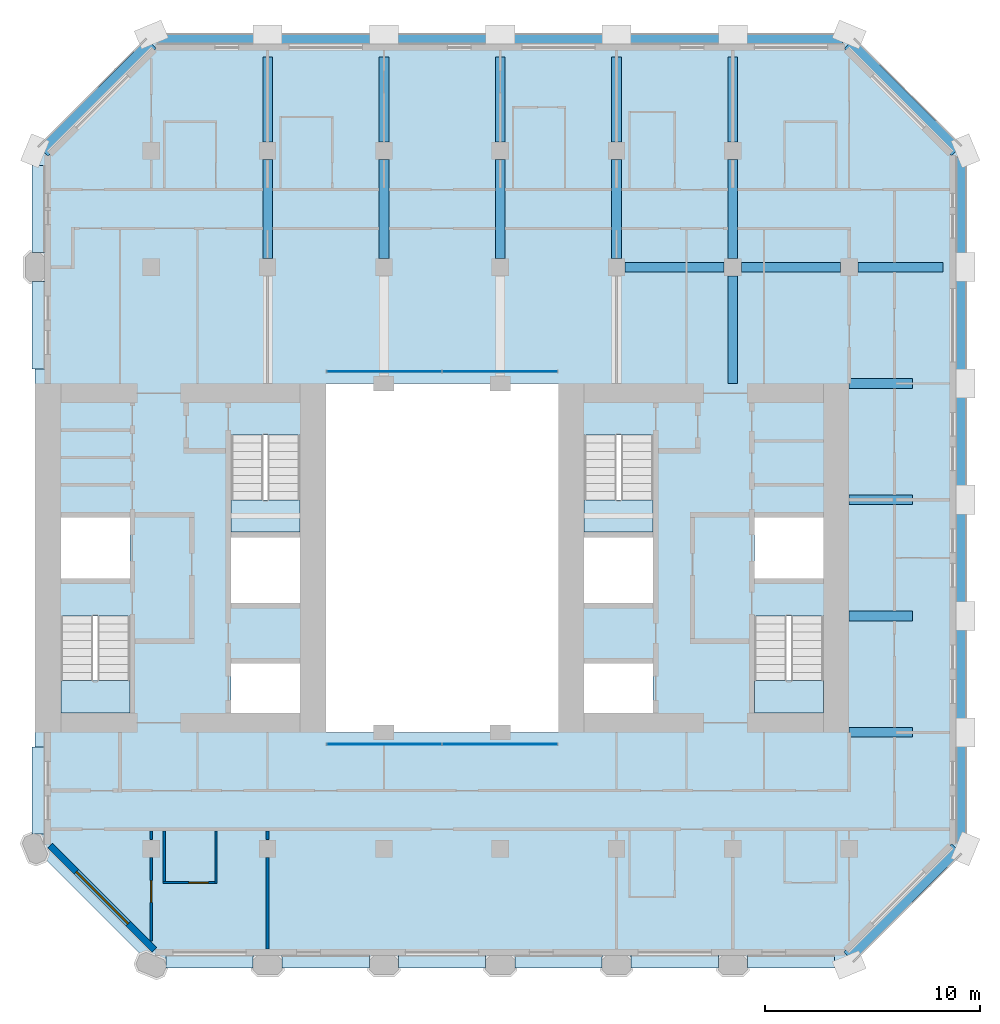
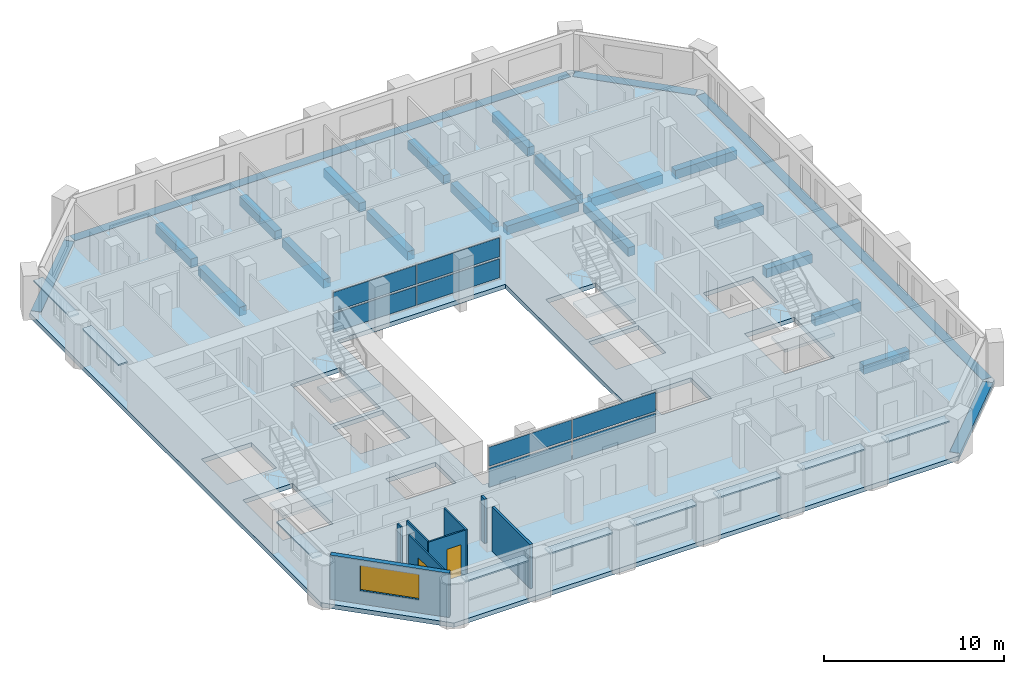
# One storey, part 3 of 12: 23 beams, 17 plates, 8 walls, 5 slabs, 2 doors, 1 window, 3 openings, 6 elements without a shape of their own.
"""IFC4 building model written with IfcOpenShell, lengths in metres."""

import ifcopenshell
import ifcopenshell.guid

model = None  # the IFC model being written
_history = None  # IfcOwnerHistory: only IFC2X3 demands one
_inside = {}  # id of a spatial element -> (the spatial element, [elements in it])
_under = {}  # id of a project, library or spatial element -> (it, [spatial elements below it])
_declared = {}  # id of a project -> (the project, [libraries it declares])
_typed = {}  # id of a type object -> (the type object, [elements of that type])
_made_of = {}  # id of a material, layer set ... -> (it, [elements and type objects made of it])


def new_model(schema):
    """Start an empty IFC model of exactly this schema.

    Asked for "IFC4X3", IfcOpenShell would pick the latest addendum, in which some entities
    have other attributes; the version numbers below select the first issue.
    IFC2X3 requires an IfcOwnerHistory on every rooted entity: one is made here for all.
    """
    global model, _history
    if schema == "IFC4X3":
        model = ifcopenshell.file(schema_version=(4, 3, 0, 0))
    else:
        model = ifcopenshell.file(schema=schema)
    _inside.clear()
    _under.clear()
    _declared.clear()
    _typed.clear()
    _made_of.clear()
    _history = None
    if model.schema == "IFC2X3":
        org = make("IfcOrganization", Name="unknown")
        user = make(
            "IfcPersonAndOrganization",
            ThePerson=make("IfcPerson", FamilyName="unknown"),
            TheOrganization=org,
        )
        app = make(
            "IfcApplication",
            ApplicationDeveloper=org,
            Version="unknown",
            ApplicationFullName="unknown",
            ApplicationIdentifier="unknown",
        )
        _history = make(
            "IfcOwnerHistory",
            OwningUser=user,
            OwningApplication=app,
            ChangeAction="ADDED",
            CreationDate=0,
        )
    return model


def make(cls, **values):
    """One entity of the class cls with the attributes given. An attribute that is None is left unset."""
    return model.create_entity(
        cls, **{name: value for name, value in values.items() if value is not None}
    )


def rooted(cls, **values):
    """An entity with a GlobalId (a new one), such as an element, a storey or a relation."""
    return make(cls, GlobalId=ifcopenshell.guid.new(), OwnerHistory=_history, **values)


def si_unit(unit_type, name, prefix=None):
    """IfcSIUnit, for example si_unit("LENGTHUNIT", "METRE", prefix="MILLI")."""
    return make("IfcSIUnit", UnitType=unit_type, Prefix=prefix, Name=name)


def assignment(units):
    """IfcUnitAssignment: the units of a project."""
    return None if units is None else make("IfcUnitAssignment", Units=units)


def point(xyz):
    """IfcCartesianPoint."""
    return None if xyz is None else make("IfcCartesianPoint", Coordinates=xyz)


def direction(xyz):
    """IfcDirection."""
    return None if xyz is None else make("IfcDirection", DirectionRatios=xyz)


def frame(location, z_axis=None, x_axis=None):
    """IfcAxis2Placement3D, a coordinate frame: its origin and axes. An axis left out is left unset."""
    return make(
        "IfcAxis2Placement3D",
        Location=point(location),
        Axis=direction(z_axis),
        RefDirection=direction(x_axis),
    )


def frame_2d(location, x_axis=None):
    """IfcAxis2Placement2D, a coordinate frame in the plane: its origin and x axis."""
    return make(
        "IfcAxis2Placement2D", Location=point(location), RefDirection=direction(x_axis)
    )


def origin():
    """The frame at (0, 0, 0) with its axes left unset."""
    return frame((0.0, 0.0, 0.0))


def origin_2d():
    """The frame at (0, 0) in the plane with its x axis left unset."""
    return frame_2d((0.0, 0.0))


def place(relative_to, where):
    """IfcLocalPlacement: puts the frame where relative to a parent placement (None: the world)."""
    return make(
        "IfcLocalPlacement", PlacementRelTo=relative_to, RelativePlacement=where
    )


def context(
    kind, dimensions, precision=None, world=None, true_north=None, identifier=None
):
    """IfcGeometricRepresentationContext, for example the 3D "Model" context."""
    return make(
        "IfcGeometricRepresentationContext",
        ContextIdentifier=identifier,
        ContextType=kind,
        CoordinateSpaceDimension=dimensions,
        Precision=precision,
        WorldCoordinateSystem=world,
        TrueNorth=true_north,
    )


def subcontext(parent, identifier, kind, view, scale=None):
    """IfcGeometricRepresentationSubContext, for example "Body" below "Model"."""
    return make(
        "IfcGeometricRepresentationSubContext",
        ContextIdentifier=identifier,
        ContextType=kind,
        ParentContext=parent,
        TargetScale=scale,
        TargetView=view,
    )


def project(units=None, contexts=None):
    """IfcProject with its units and contexts."""
    return rooted(
        "IfcProject",
        Name="project",
        RepresentationContexts=contexts,
        UnitsInContext=assignment(units),
    )


def spatial(cls, under=None, at=None, **own):
    """A site, building, storey or space (cls), placed at a placement, below another one or the project."""
    s = rooted(cls, ObjectPlacement=at, **own)
    if under is not None:
        _under.setdefault(under.id(), (under, []))[1].append(s)
    return s


def polyline(points):
    """IfcPolyline through the points."""
    return make("IfcPolyline", Points=[point(p) for p in points])


def profile(cls, at=None, kind="AREA", **sizes):
    """A parametric profile (cls). Its sizes go by their IFC names, for example OverallWidth=200.0."""
    return make(cls, ProfileType=kind, Position=at, **sizes)


def rectangle(**sizes):
    """IfcRectangleProfileDef."""
    return profile("IfcRectangleProfileDef", **sizes)


def outline(outer, holes=None, kind="AREA"):
    """IfcArbitraryClosedProfileDef: a profile drawn as a closed curve; with holes, ...WithVoids."""
    if holes is None:
        return make("IfcArbitraryClosedProfileDef", ProfileType=kind, OuterCurve=outer)
    return make(
        "IfcArbitraryProfileDefWithVoids",
        ProfileType=kind,
        OuterCurve=outer,
        InnerCurves=holes,
    )


def extrude(swept, where, along, depth):
    """IfcExtrudedAreaSolid: the profile swept, set in the frame where, extruded along a direction by depth."""
    return make(
        "IfcExtrudedAreaSolid",
        SweptArea=swept,
        Position=where,
        ExtrudedDirection=direction(along),
        Depth=depth,
    )


def shape(context_of_items, identifier, shape_type, items):
    """IfcShapeRepresentation: the items that make up one representation, for example the "Body"."""
    return make(
        "IfcShapeRepresentation",
        ContextOfItems=context_of_items,
        RepresentationIdentifier=identifier,
        RepresentationType=shape_type,
        Items=items,
    )


def material(Name=None, Category=None):
    """IfcMaterial."""
    return make("IfcMaterial", Name=Name, Category=Category)


def layer(
    of_material, thickness, ventilated=None, Name=None, Category=None, Priority=None
):
    """IfcMaterialLayer: one layer of a wall or slab, of a material (None: an air gap)."""
    return make(
        "IfcMaterialLayer",
        Material=of_material,
        LayerThickness=thickness,
        IsVentilated=ventilated,
        Name=Name,
        Category=Category,
        Priority=Priority,
    )


def layer_set(layers, Name=None):
    """IfcMaterialLayerSet."""
    return make("IfcMaterialLayerSet", MaterialLayers=layers, LayerSetName=Name)


def material_profile(
    of_material, cross_section, Name=None, Category=None, Priority=None
):
    """IfcMaterialProfile: a cross section and its material."""
    return make(
        "IfcMaterialProfile",
        Name=Name,
        Material=of_material,
        Profile=cross_section,
        Priority=Priority,
        Category=Category,
    )


def profile_set(profiles, Name=None, composite=None):
    """IfcMaterialProfileSet."""
    return make(
        "IfcMaterialProfileSet",
        Name=Name,
        MaterialProfiles=profiles,
        CompositeProfile=composite,
    )


def made_of(thing, what):
    """Note that an element or type object is made of a material, layer set ...; save() writes the relation."""
    if what is not None:
        _made_of.setdefault(what.id(), (what, []))[1].append(thing)
    return thing


def type_object(cls, material=None, **own):
    """A type object (cls), such as IfcWallType, which elements share."""
    return made_of(rooted(cls, **own), material)


def element(
    cls,
    number,
    at=None,
    inside=None,
    cuts=None,
    type_object=None,
    material=None,
    context=None,
    identifier="Body",
    shape_type=None,
    held_by="IfcProductDefinitionShape",
    body=None,
    shapes=None,
    **own,
):
    """One element of the class cls, such as IfcWall. Its Tag is "e" and its number.

    at: its placement. inside: the storey or other place that contains it. cuts: it is an
    opening in that element (IfcRelVoidsElement). A single representation is given by context,
    identifier, shape_type and body (its items); several are given by shapes. held_by: the class
    of the entity that holds the representations. save() writes the other relations.
    """
    e = rooted(cls, Tag="e%d" % number, ObjectPlacement=at, **own)
    if body is not None:
        shapes = [shape(context, identifier, shape_type, body)]
    if shapes is not None:
        e.Representation = make(held_by, Representations=shapes)
    if inside is not None:
        _inside.setdefault(inside.id(), (inside, []))[1].append(e)
    if cuts is not None:
        rooted(
            "IfcRelVoidsElement", RelatingBuildingElement=cuts, RelatedOpeningElement=e
        )
    if type_object is not None:
        _typed.setdefault(type_object.id(), (type_object, []))[1].append(e)
    return made_of(e, material)


def fill(opening, filler):
    """IfcRelFillsElement: the door or window that sits in an opening."""
    return rooted(
        "IfcRelFillsElement",
        RelatingOpeningElement=opening,
        RelatedBuildingElement=filler,
    )


def aggregate(whole, parts):
    """IfcRelAggregates: a whole, such as a stair, and the parts it consists of."""
    return rooted("IfcRelAggregates", RelatingObject=whole, RelatedObjects=parts)


def save(model, path):
    """Write the relations noted so far, then the file.

    IfcRelAggregates (storeys below a building ...), IfcRelContainedInSpatialStructure (elements
    in a storey), IfcRelDefinesByType, IfcRelAssociatesMaterial and IfcRelDeclares: one each for
    every whole, place, type object, material and project.
    """
    for whole, parts in _under.values():
        aggregate(whole, parts)
    for where, things in _inside.values():
        rooted(
            "IfcRelContainedInSpatialStructure",
            RelatedElements=things,
            RelatingStructure=where,
        )
    for kind, things in _typed.values():
        rooted("IfcRelDefinesByType", RelatedObjects=things, RelatingType=kind)
    for what, things in _made_of.values():
        rooted("IfcRelAssociatesMaterial", RelatedObjects=things, RelatingMaterial=what)
    for by, libraries in _declared.values():
        rooted("IfcRelDeclares", RelatingContext=by, RelatedDefinitions=libraries)
    model.write(path)


model = new_model("IFC4")

# Units and contexts
model_context = context("Model", 3, precision=1e-05, world=origin(), true_north=direction((0.0, 1.0)))
body_context = subcontext(model_context, "Body", "Model", "MODEL_VIEW")
ifc_project = project(units=[si_unit("LENGTHUNIT", "METRE"), si_unit("AREAUNIT", "SQUARE_METRE"), si_unit("VOLUMEUNIT", "CUBIC_METRE"), si_unit("PLANEANGLEUNIT", "RADIAN"), si_unit("MASSUNIT", "GRAM", prefix="KILO")], contexts=[model_context])

# Site, building, storey
site_placement = place(None, origin())
site = spatial("IfcSite", under=ifc_project, at=site_placement, CompositionType="ELEMENT")
building_placement = place(site_placement, origin())
building = spatial("IfcBuilding", under=site, at=building_placement, Name="Tabaq Tower and Sports Hall", CompositionType="ELEMENT")
storey_placement = place(building_placement, frame((0.0, 0.0, 193.89990234375)))
storey = spatial("IfcBuildingStorey", under=building, at=storey_placement, Name="L47", CompositionType="ELEMENT", Elevation=193.89990234375)

# Beams
ifc_material_1 = material(Name="Concrete C40/50", Category="concrete")
ifc_material_profile_1 = material_profile(ifc_material_1, rectangle(XDim=0.449951171875, YDim=0.60009765625, at=origin_2d()), Name="CB 450x600")
ifc_profile_set_1 = profile_set([ifc_material_profile_1], Name="Concrete C40/50")
beam_type_1 = type_object("IfcBeamType", Name="PT CANTILEVER BEAM CB 450x600 C40/50", PredefinedType="BEAM", material=ifc_profile_set_1)
for number, where, z_axis, x_axis, name in (
    (1, (46.14990234375, 16.199951171875, -0.599853515625), (-1.0, 0.0, 0.0), (0.0, -1.0, 0.0), "Cantilever Beam L47 E3 span 1"),
    (2, (46.14990234375, 21.60009765625, -0.599853515625), (-1.0, 0.0, 0.0), (0.0, -1.0, 0.0), "Cantilever Beam L47 E4 span 1"),
    (3, (46.14990234375, 27.0, -0.599853515625), (-1.0, 0.0, 0.0), (0.0, -1.0, 0.0), "Cantilever Beam L47 E5 span 1"),
    (4, (46.14990234375, 32.39990234375, -0.599853515625), (-1.0, 0.0, 0.0), (0.0, -1.0, 0.0), "Cantilever Beam L47 E6 span 1"),
):
    element("IfcBeam", number, at=place(storey_placement, frame(where, z_axis=z_axis, x_axis=x_axis)), inside=storey, type_object=beam_type_1, Name=name, PredefinedType="BEAM", context=body_context, shape_type="SweptSolid", body=[
        extrude(rectangle(XDim=0.449951171875, YDim=0.60009765625, at=origin_2d()), origin(), (0.0, 0.0, 1.0), 2.949951171875),
    ])
beam_1_placement = place(storey_placement, frame((47.550048828125, 37.800048828125, -0.599853515625), z_axis=(-1.0, 0.0, 0.0), x_axis=(0.0, -1.0, 0.0)))
element("IfcBeam", 5, at=beam_1_placement, inside=storey, type_object=beam_type_1, Name="Cantilever Beam L47 E7 span 1", PredefinedType="BEAM", context=body_context, shape_type="SweptSolid", body=[
    extrude(rectangle(XDim=0.449951171875, YDim=0.60009765625, at=origin_2d()), origin(), (0.0, 0.0, 1.0), 3.949951171875),
])
beam_2_placement = place(storey_placement, frame((42.800048828125, 37.800048828125, -0.599853515625), z_axis=(-1.0, 0.0, 0.0), x_axis=(0.0, -1.0, 0.0)))
element("IfcBeam", 6, at=beam_2_placement, inside=storey, type_object=beam_type_1, Name="Cantilever Beam L47 E7 span 2", PredefinedType="BEAM", context=body_context, shape_type="SweptSolid", body=[
    extrude(rectangle(XDim=0.449951171875, YDim=0.60009765625, at=origin_2d()), origin(), (0.0, 0.0, 1.0), 4.60009765625),
])
beam_3_placement = place(storey_placement, frame((37.39990234375, 37.800048828125, -0.599853515625), z_axis=(-1.0, 0.0, 0.0), x_axis=(0.0, -1.0, 0.0)))
element("IfcBeam", 7, at=beam_3_placement, inside=storey, type_object=beam_type_1, Name="Cantilever Beam L47 E7 span 3", PredefinedType="BEAM", context=body_context, shape_type="SweptSolid", body=[
    extrude(rectangle(XDim=0.449951171875, YDim=0.60009765625, at=origin_2d()), origin(), (0.0, 0.0, 1.0), 4.599853515625),
])
beam_4_placement = place(storey_placement, frame((16.199951171875, 47.550048828125, -0.599853515625), z_axis=(0.0, -1.0, 0.0), x_axis=(1.0, 0.0, 0.0)))
element("IfcBeam", 8, at=beam_4_placement, inside=storey, type_object=beam_type_1, Name="Cantilever Beam L47 N3 span 1", PredefinedType="BEAM", context=body_context, shape_type="SweptSolid", body=[
    extrude(rectangle(XDim=0.449951171875, YDim=0.60009765625, at=origin_2d()), origin(), (0.0, 0.0, 1.0), 3.949951171875),
])
beam_5_placement = place(storey_placement, frame((16.199951171875, 42.800048828125, -0.599853515625), z_axis=(0.0, -1.0, 0.0), x_axis=(1.0, 0.0, 0.0)))
element("IfcBeam", 9, at=beam_5_placement, inside=storey, type_object=beam_type_1, Name="Cantilever Beam L47 N3 span 2", PredefinedType="BEAM", context=body_context, shape_type="SweptSolid", body=[
    extrude(rectangle(XDim=0.449951171875, YDim=0.60009765625, at=origin_2d()), origin(), (0.0, 0.0, 1.0), 4.60009765625),
])
beam_6_placement = place(storey_placement, frame((21.60009765625, 47.550048828125, -0.599853515625), z_axis=(0.0, -1.0, 0.0), x_axis=(1.0, 0.0, 0.0)))
element("IfcBeam", 10, at=beam_6_placement, inside=storey, type_object=beam_type_1, Name="Cantilever Beam L47 N4 span 1", PredefinedType="BEAM", context=body_context, shape_type="SweptSolid", body=[
    extrude(rectangle(XDim=0.449951171875, YDim=0.60009765625, at=origin_2d()), origin(), (0.0, 0.0, 1.0), 3.949951171875),
])
beam_7_placement = place(storey_placement, frame((21.60009765625, 42.800048828125, -0.599853515625), z_axis=(0.0, -1.0, 0.0), x_axis=(1.0, 0.0, 0.0)))
element("IfcBeam", 11, at=beam_7_placement, inside=storey, type_object=beam_type_1, Name="Cantilever Beam L47 N4 span 2", PredefinedType="BEAM", context=body_context, shape_type="SweptSolid", body=[
    extrude(rectangle(XDim=0.449951171875, YDim=0.60009765625, at=origin_2d()), origin(), (0.0, 0.0, 1.0), 4.60009765625),
])
beam_8_placement = place(storey_placement, frame((27.0, 47.550048828125, -0.599853515625), z_axis=(0.0, -1.0, 0.0), x_axis=(1.0, 0.0, 0.0)))
element("IfcBeam", 12, at=beam_8_placement, inside=storey, type_object=beam_type_1, Name="Cantilever Beam L47 N5 span 1", PredefinedType="BEAM", context=body_context, shape_type="SweptSolid", body=[
    extrude(rectangle(XDim=0.449951171875, YDim=0.60009765625, at=origin_2d()), origin(), (0.0, 0.0, 1.0), 3.949951171875),
])
beam_9_placement = place(storey_placement, frame((27.0, 42.800048828125, -0.599853515625), z_axis=(0.0, -1.0, 0.0), x_axis=(1.0, 0.0, 0.0)))
element("IfcBeam", 13, at=beam_9_placement, inside=storey, type_object=beam_type_1, Name="Cantilever Beam L47 N5 span 2", PredefinedType="BEAM", context=body_context, shape_type="SweptSolid", body=[
    extrude(rectangle(XDim=0.449951171875, YDim=0.60009765625, at=origin_2d()), origin(), (0.0, 0.0, 1.0), 4.60009765625),
])
beam_10_placement = place(storey_placement, frame((32.39990234375, 47.550048828125, -0.599853515625), z_axis=(0.0, -1.0, 0.0), x_axis=(1.0, 0.0, 0.0)))
element("IfcBeam", 14, at=beam_10_placement, inside=storey, type_object=beam_type_1, Name="Cantilever Beam L47 N6 span 1", PredefinedType="BEAM", context=body_context, shape_type="SweptSolid", body=[
    extrude(rectangle(XDim=0.449951171875, YDim=0.60009765625, at=origin_2d()), origin(), (0.0, 0.0, 1.0), 3.949951171875),
])
beam_11_placement = place(storey_placement, frame((32.39990234375, 42.800048828125, -0.599853515625), z_axis=(0.0, -1.0, 0.0), x_axis=(1.0, 0.0, 0.0)))
element("IfcBeam", 15, at=beam_11_placement, inside=storey, type_object=beam_type_1, Name="Cantilever Beam L47 N6 span 2", PredefinedType="BEAM", context=body_context, shape_type="SweptSolid", body=[
    extrude(rectangle(XDim=0.449951171875, YDim=0.60009765625, at=origin_2d()), origin(), (0.0, 0.0, 1.0), 4.60009765625),
])
beam_12_placement = place(storey_placement, frame((37.800048828125, 47.550048828125, -0.599853515625), z_axis=(0.0, -1.0, 0.0), x_axis=(1.0, 0.0, 0.0)))
element("IfcBeam", 16, at=beam_12_placement, inside=storey, type_object=beam_type_1, Name="Cantilever Beam L47 N7 span 1", PredefinedType="BEAM", context=body_context, shape_type="SweptSolid", body=[
    extrude(rectangle(XDim=0.449951171875, YDim=0.60009765625, at=origin_2d()), origin(), (0.0, 0.0, 1.0), 3.949951171875),
])
beam_13_placement = place(storey_placement, frame((37.800048828125, 42.800048828125, -0.599853515625), z_axis=(0.0, -1.0, 0.0), x_axis=(1.0, 0.0, 0.0)))
element("IfcBeam", 17, at=beam_13_placement, inside=storey, type_object=beam_type_1, Name="Cantilever Beam L47 N7 span 2", PredefinedType="BEAM", context=body_context, shape_type="SweptSolid", body=[
    extrude(rectangle(XDim=0.449951171875, YDim=0.60009765625, at=origin_2d()), origin(), (0.0, 0.0, 1.0), 4.60009765625),
])
beam_14_placement = place(storey_placement, frame((37.800048828125, 37.39990234375, -0.599853515625), z_axis=(0.0, -1.0, 0.0), x_axis=(1.0, 0.0, 0.0)))
element("IfcBeam", 18, at=beam_14_placement, inside=storey, type_object=beam_type_1, Name="Cantilever Beam L47 N7 span 3", PredefinedType="BEAM", context=body_context, shape_type="SweptSolid", body=[
    extrude(rectangle(XDim=0.449951171875, YDim=0.60009765625, at=origin_2d()), origin(), (0.0, 0.0, 1.0), 5.0),
])
ifc_material_2 = material(Name="Concrete C40/50", Category="concrete")
ifc_material_profile_2 = material_profile(ifc_material_2, rectangle(XDim=0.60009765625, YDim=0.300048828125, at=origin_2d()), Name="EB 600x300")
ifc_profile_set_2 = profile_set([ifc_material_profile_2], Name="Concrete C40/50")
beam_type_2 = type_object("IfcBeamType", Name="PT EDGE BEAM EB 600x300 C40/50", PredefinedType="SPANDREL", material=ifc_profile_set_2)
beam_15_placement = place(storey_placement, frame((43.16455078125, 5.788818359375, -0.14990234375), z_axis=(0.707106781187, 0.707106781187, 0.0), x_axis=(-0.707106781187, 0.707106781187, 0.0)))
element("IfcBeam", 19, at=beam_15_placement, inside=storey, type_object=beam_type_2, Name="Edge Beam L47 1", PredefinedType="SPANDREL", context=body_context, shape_type="SweptSolid", body=[
    extrude(rectangle(XDim=0.60009765625, YDim=0.300048828125, at=origin_2d()), origin(), (0.0, 0.0, 1.0), 7.08837890625),
])
beam_16_placement = place(storey_placement, frame((48.300048828125, 11.0986328125, -0.14990234375), z_axis=(0.0, 1.0, 0.0), x_axis=(-1.0, 0.0, 0.0)))
element("IfcBeam", 20, at=beam_16_placement, inside=storey, type_object=beam_type_2, Name="Edge Beam L47 2", PredefinedType="SPANDREL", context=body_context, shape_type="SweptSolid", body=[
    extrude(rectangle(XDim=0.60009765625, YDim=0.300048828125, at=origin_2d()), origin(), (0.0, 0.0, 1.0), 31.802734375),
])
beam_17_placement = place(storey_placement, frame((48.1767578125, 43.198974609375, -0.14990234375), z_axis=(-0.707106781187, 0.707106781187, 0.0), x_axis=(-0.707106781187, -0.707106781187, 0.0)))
element("IfcBeam", 21, at=beam_17_placement, inside=storey, type_object=beam_type_2, Name="Edge Beam L47 3", PredefinedType="SPANDREL", context=body_context, shape_type="SweptSolid", body=[
    extrude(rectangle(XDim=0.60009765625, YDim=0.300048828125, at=origin_2d()), origin(), (0.0, 0.0, 1.0), 7.03955078125),
])
beam_18_placement = place(storey_placement, frame((42.9013671875, 48.300048828125, -0.14990234375), z_axis=(-1.0, 0.0, 0.0), x_axis=(0.0, -1.0, 0.0)))
element("IfcBeam", 22, at=beam_18_placement, inside=storey, type_object=beam_type_2, Name="Edge Beam L47 4", PredefinedType="SPANDREL", context=body_context, shape_type="SweptSolid", body=[
    extrude(rectangle(XDim=0.60009765625, YDim=0.300048828125, at=origin_2d()), origin(), (0.0, 0.0, 1.0), 31.802734375),
])
beam_19_placement = place(storey_placement, frame((10.801025390625, 48.1767578125, -0.14990234375), z_axis=(-0.707106781187, -0.707106781187, 0.0), x_axis=(0.707106781187, -0.707106781187, 0.0)))
element("IfcBeam", 23, at=beam_19_placement, inside=storey, type_object=beam_type_2, Name="Edge Beam L47 5", PredefinedType="SPANDREL", context=body_context, shape_type="SweptSolid", body=[
    extrude(rectangle(XDim=0.60009765625, YDim=0.300048828125, at=origin_2d()), origin(), (0.0, 0.0, 1.0), 7.08837890625),
])

# Curtain wall, plates
ifc_material_3 = material(Name="Aluminium alloy 6063-T6 framed glazing", Category="aluminium")
curtain_wall_type = type_object("IfcCurtainWallType", Name="CW1 curtain wall", PredefinedType="USERDEFINED", material=ifc_material_3)
curtain_wall_1_placement = place(storey_placement, origin())
curtain_wall_1 = element("IfcCurtainWall", 24, at=curtain_wall_1_placement, inside=storey, type_object=curtain_wall_type, Name="Atrium glazing L47 S", ObjectType="ATRIUM ENCLOSURE", PredefinedType="USERDEFINED")
ifc_material_4 = material(Name="Clear low-emissivity glass 28 mm", Category="glass")
ifc_layer_1 = layer(ifc_material_4, 0.028076171875)
ifc_layer_set_1 = layer_set([ifc_layer_1], Name="CW1 glass panel 28")
plate_type_1 = type_object("IfcPlateType", Name="CW1 glass panel 28", PredefinedType="CURTAIN_PANEL", material=ifc_layer_set_1)
plate_1_placement = place(storey_placement, frame((21.614990234375, 15.64990234375, 0.14013671875), z_axis=(0.0, 0.0, 1.0), x_axis=(1.0, 0.0, 0.0)))
plate_1 = element("IfcPlate", 25, at=plate_1_placement, type_object=plate_type_1, Name="CW1 panel 1.1", PredefinedType="CURTAIN_PANEL", context=body_context, shape_type="SweptSolid", body=[
    extrude(rectangle(XDim=5.31005859375, YDim=0.028076171875, at=origin_2d()), origin(), (0.0, 0.0, 1.0), 1.2900390625),
])
plate_2_placement = place(storey_placement, frame((21.614990234375, 15.64990234375, 1.570068359375), z_axis=(0.0, 0.0, 1.0), x_axis=(1.0, 0.0, 0.0)))
plate_2 = element("IfcPlate", 26, at=plate_2_placement, type_object=plate_type_1, Name="CW1 panel 1.2", PredefinedType="CURTAIN_PANEL", context=body_context, shape_type="SweptSolid", body=[
    extrude(rectangle(XDim=5.31005859375, YDim=0.028076171875, at=origin_2d()), origin(), (0.0, 0.0, 1.0), 1.2900390625),
])
plate_3_placement = place(storey_placement, frame((26.985107421875, 15.64990234375, 0.14013671875), z_axis=(0.0, 0.0, 1.0), x_axis=(1.0, 0.0, 0.0)))
plate_3 = element("IfcPlate", 27, at=plate_3_placement, type_object=plate_type_1, Name="CW1 panel 2.1", PredefinedType="CURTAIN_PANEL", context=body_context, shape_type="SweptSolid", body=[
    extrude(rectangle(XDim=5.31005859375, YDim=0.028076171875, at=origin_2d()), origin(), (0.0, 0.0, 1.0), 1.2900390625),
])
plate_4_placement = place(storey_placement, frame((26.985107421875, 15.64990234375, 1.570068359375), z_axis=(0.0, 0.0, 1.0), x_axis=(1.0, 0.0, 0.0)))
plate_4 = element("IfcPlate", 28, at=plate_4_placement, type_object=plate_type_1, Name="CW1 panel 2.2", PredefinedType="CURTAIN_PANEL", context=body_context, shape_type="SweptSolid", body=[
    extrude(rectangle(XDim=5.31005859375, YDim=0.028076171875, at=origin_2d()), origin(), (0.0, 0.0, 1.0), 1.2900390625),
])
aggregate(curtain_wall_1, [plate_1, plate_2, plate_3, plate_4])

curtain_wall_2_placement = place(storey_placement, origin())
curtain_wall_2 = element("IfcCurtainWall", 29, at=curtain_wall_2_placement, inside=storey, type_object=curtain_wall_type, Name="Atrium glazing L47 N", ObjectType="ATRIUM ENCLOSURE", PredefinedType="USERDEFINED")
plate_5_placement = place(storey_placement, frame((21.614990234375, 32.949951171875, 0.14013671875), z_axis=(0.0, 0.0, 1.0), x_axis=(1.0, 0.0, 0.0)))
plate_5 = element("IfcPlate", 30, at=plate_5_placement, type_object=plate_type_1, Name="CW1 panel 1.1", PredefinedType="CURTAIN_PANEL", context=body_context, shape_type="SweptSolid", body=[
    extrude(rectangle(XDim=5.31005859375, YDim=0.028076171875, at=origin_2d()), origin(), (0.0, 0.0, 1.0), 1.2900390625),
])
plate_6_placement = place(storey_placement, frame((21.614990234375, 32.949951171875, 1.570068359375), z_axis=(0.0, 0.0, 1.0), x_axis=(1.0, 0.0, 0.0)))
plate_6 = element("IfcPlate", 31, at=plate_6_placement, type_object=plate_type_1, Name="CW1 panel 1.2", PredefinedType="CURTAIN_PANEL", context=body_context, shape_type="SweptSolid", body=[
    extrude(rectangle(XDim=5.31005859375, YDim=0.028076171875, at=origin_2d()), origin(), (0.0, 0.0, 1.0), 1.2900390625),
])
plate_7_placement = place(storey_placement, frame((26.985107421875, 32.949951171875, 0.14013671875), z_axis=(0.0, 0.0, 1.0), x_axis=(1.0, 0.0, 0.0)))
plate_7 = element("IfcPlate", 32, at=plate_7_placement, type_object=plate_type_1, Name="CW1 panel 2.1", PredefinedType="CURTAIN_PANEL", context=body_context, shape_type="SweptSolid", body=[
    extrude(rectangle(XDim=5.31005859375, YDim=0.028076171875, at=origin_2d()), origin(), (0.0, 0.0, 1.0), 1.2900390625),
])
plate_8_placement = place(storey_placement, frame((26.985107421875, 32.949951171875, 1.570068359375), z_axis=(0.0, 0.0, 1.0), x_axis=(1.0, 0.0, 0.0)))
plate_8 = element("IfcPlate", 33, at=plate_8_placement, type_object=plate_type_1, Name="CW1 panel 2.2", PredefinedType="CURTAIN_PANEL", context=body_context, shape_type="SweptSolid", body=[
    extrude(rectangle(XDim=5.31005859375, YDim=0.028076171875, at=origin_2d()), origin(), (0.0, 0.0, 1.0), 1.2900390625),
])
aggregate(curtain_wall_2, [plate_5, plate_6, plate_7, plate_8])

# Stair, slab
ifc_material_5 = material(Name="Concrete C40/50", Category="concrete")
stair_type = type_object("IfcStairType", Name="Exit stair", PredefinedType="HALF_TURN_STAIR", material=ifc_material_5)
stair_1_placement = place(storey_placement, origin())
stair_1 = element("IfcStair", 34, at=stair_1_placement, inside=storey, type_object=stair_type, Name="L47 Exit stair ST1", PredefinedType="HALF_TURN_STAIR")
ifc_material_6 = material(Name="Concrete C40/50", Category="concrete")
ifc_layer_2 = layer(ifc_material_6, 0.199951171875)
ifc_layer_set_2 = layer_set([ifc_layer_2], Name="Exit stair landing")
slab_type_1 = type_object("IfcSlabType", Name="Exit stair landing", PredefinedType="LANDING", material=ifc_layer_set_2)
slab_1_placement = place(storey_placement, frame((0.0, 0.0, 1.4501953125)))
slab_1 = element("IfcSlab", 35, at=slab_1_placement, type_object=slab_type_1, Name="ST1 landing 1", PredefinedType="LANDING", context=body_context, shape_type="SweptSolid", body=[
    extrude(outline(polyline([(6.60009765625, 18.60009765625), (6.60009765625, 17.10009765625), (9.800048828125, 17.10009765625), (9.800048828125, 18.60009765625), (6.60009765625, 18.60009765625)])), origin(), (0.0, 0.0, 1.0), 0.199951171875),
])
aggregate(stair_1, [slab_1])

stair_2_placement = place(storey_placement, origin())
stair_2 = element("IfcStair", 36, at=stair_2_placement, inside=storey, type_object=stair_type, Name="L47 Exit stair ST2", PredefinedType="HALF_TURN_STAIR")
slab_2_placement = place(storey_placement, frame((0.0, 0.0, 1.4501953125)))
slab_2 = element("IfcSlab", 37, at=slab_2_placement, type_object=slab_type_1, Name="ST2 landing 1", PredefinedType="LANDING", context=body_context, shape_type="SweptSolid", body=[
    extrude(outline(polyline([(14.5, 27.0), (14.5, 25.5), (17.699951171875, 25.5), (17.699951171875, 27.0), (14.5, 27.0)])), origin(), (0.0, 0.0, 1.0), 0.199951171875),
])
aggregate(stair_2, [slab_2])

stair_3_placement = place(storey_placement, origin())
stair_3 = element("IfcStair", 38, at=stair_3_placement, inside=storey, type_object=stair_type, Name="L47 Exit stair ST3", PredefinedType="HALF_TURN_STAIR")
slab_3_placement = place(storey_placement, frame((0.0, 0.0, 1.4501953125)))
slab_3 = element("IfcSlab", 39, at=slab_3_placement, type_object=slab_type_1, Name="ST3 landing 1", PredefinedType="LANDING", context=body_context, shape_type="SweptSolid", body=[
    extrude(outline(polyline([(38.800048828125, 18.60009765625), (38.800048828125, 17.10009765625), (42.0, 17.10009765625), (42.0, 18.60009765625), (38.800048828125, 18.60009765625)])), origin(), (0.0, 0.0, 1.0), 0.199951171875),
])
aggregate(stair_3, [slab_3])

stair_4_placement = place(storey_placement, origin())
stair_4 = element("IfcStair", 40, at=stair_4_placement, inside=storey, type_object=stair_type, Name="L47 Exit stair ST4", PredefinedType="HALF_TURN_STAIR")
slab_4_placement = place(storey_placement, frame((0.0, 0.0, 1.4501953125)))
slab_4 = element("IfcSlab", 41, at=slab_4_placement, type_object=slab_type_1, Name="ST4 landing 1", PredefinedType="LANDING", context=body_context, shape_type="SweptSolid", body=[
    extrude(outline(polyline([(30.89990234375, 27.0), (30.89990234375, 25.5), (34.10009765625, 25.5), (34.10009765625, 27.0), (30.89990234375, 27.0)])), origin(), (0.0, 0.0, 1.0), 0.199951171875),
])
aggregate(stair_4, [slab_4])

# Slab
ifc_material_7 = material(Name="Concrete C40/50", Category="concrete")
ifc_layer_3 = layer(ifc_material_7, 0.300048828125)
ifc_layer_set_3 = layer_set([ifc_layer_3], Name="PT FLOOR SLAB 300 C40/50")
slab_type_2 = type_object("IfcSlabType", Name="PT FLOOR SLAB 300 C40/50", PredefinedType="FLOOR", material=ifc_layer_set_3)
slab_5_placement = place(storey_placement, frame((0.0, 0.0, -0.2998046875)))
element("IfcSlab", 42, at=slab_5_placement, inside=storey, type_object=slab_type_2, Name="Floor Slab L47", PredefinedType="FLOOR", context=body_context, shape_type="SweptSolid", body=[
    extrude(outline(polyline([(5.39990234375, 43.199951171875), (5.39990234375, 10.800048828125), (10.800048828125, 5.39990234375), (43.199951171875, 5.39990234375), (43.376708984375, 5.57666015625), (42.952392578125, 6.0009765625), (47.964599609375, 11.01318359375), (48.035400390625, 10.9423828125), (48.388916015625, 10.5888671875), (48.60009765625, 10.800048828125), (48.60009765625, 11.0986328125), (48.10009765625, 11.0986328125), (48.0, 11.0986328125), (48.0, 42.9013671875), (48.10009765625, 42.9013671875), (48.60009765625, 42.9013671875), (48.60009765625, 43.199951171875), (48.388916015625, 43.4111328125), (48.035400390625, 43.0576171875), (47.964599609375, 42.98681640625), (42.98681640625, 47.964599609375), (43.0576171875, 48.035400390625), (43.4111328125, 48.388916015625), (43.199951171875, 48.60009765625), (42.9013671875, 48.60009765625), (42.9013671875, 48.10009765625), (42.9013671875, 48.0), (11.0986328125, 48.0), (11.0986328125, 48.10009765625), (11.0986328125, 48.60009765625), (10.800048828125, 48.60009765625), (10.5888671875, 48.388916015625), (10.9423828125, 48.035400390625), (11.01318359375, 47.964599609375), (6.0009765625, 42.952392578125), (5.57666015625, 43.376708984375), (5.39990234375, 43.199951171875)]), holes=[polyline([(14.5, 19.39990234375), (17.699951171875, 19.39990234375), (17.699951171875, 17.10009765625), (14.5, 17.10009765625), (14.5, 19.39990234375)]), polyline([(6.60009765625, 21.599365234375), (9.800048828125, 21.599365234375), (9.800048828125, 17.10009765625), (6.60009765625, 17.10009765625), (6.60009765625, 21.599365234375)]), polyline([(14.5, 25.25), (17.699951171875, 25.25), (17.699951171875, 22.199951171875), (14.5, 22.199951171875), (14.5, 25.25)]), polyline([(18.89990234375, 32.39990234375), (29.699951171875, 32.39990234375), (29.699951171875, 16.199951171875), (18.89990234375, 16.199951171875), (18.89990234375, 32.39990234375)]), polyline([(9.800048828125, 26.175048828125), (9.800048828125, 23.35009765625), (6.60009765625, 23.35009765625), (6.60009765625, 26.175048828125), (9.800048828125, 26.175048828125)]), polyline([(14.5, 29.99951171875), (17.699951171875, 29.99951171875), (17.699951171875, 25.5), (14.5, 25.5), (14.5, 29.99951171875)]), polyline([(34.10009765625, 19.39990234375), (34.10009765625, 17.10009765625), (30.89990234375, 17.10009765625), (30.89990234375, 19.39990234375), (34.10009765625, 19.39990234375)]), polyline([(42.0, 21.599365234375), (42.0, 17.10009765625), (38.800048828125, 17.10009765625), (38.800048828125, 21.599365234375), (42.0, 21.599365234375)]), polyline([(30.89990234375, 25.25), (34.10009765625, 25.25), (34.10009765625, 22.199951171875), (30.89990234375, 22.199951171875), (30.89990234375, 25.25)]), polyline([(42.0, 26.175048828125), (42.0, 23.35009765625), (38.800048828125, 23.35009765625), (38.800048828125, 26.175048828125), (42.0, 26.175048828125)]), polyline([(34.10009765625, 29.99951171875), (34.10009765625, 25.5), (30.89990234375, 25.5), (30.89990234375, 29.99951171875), (34.10009765625, 29.99951171875)])]), origin(), (0.0, 0.0, 1.0), 0.2998046875),
])

# Plates
ifc_material_8 = material(Name="White precast concrete C60/75 blade", Category="concrete")
ifc_layer_4 = layer(ifc_material_8, 0.10009765625)
ifc_layer_set_4 = layer_set([ifc_layer_4], Name="White precast concrete C60/75 sunshade 100")
plate_type_2 = type_object("IfcPlateType", Name="White precast concrete C60/75 sunshade 100", PredefinedType="USERDEFINED", material=ifc_layer_set_4)
for number, where, z_axis, x_axis, name in (
    (43, (13.5, 5.550048828125, 2.60009765625), (0.0, 0.0, 1.0), (1.0, 0.0, 0.0), "Sunshade L47 S"),
    (44, (18.89990234375, 5.550048828125, 2.60009765625), (0.0, 0.0, 1.0), (1.0, 0.0, 0.0), "Sunshade L47 S"),
    (45, (24.300048828125, 5.550048828125, 2.60009765625), (0.0, 0.0, 1.0), (1.0, 0.0, 0.0), "Sunshade L47 S"),
    (46, (29.699951171875, 5.550048828125, 2.60009765625), (0.0, 0.0, 1.0), (1.0, 0.0, 0.0), "Sunshade L47 S"),
    (47, (35.10009765625, 5.550048828125, 2.60009765625), (0.0, 0.0, 1.0), (1.0, 0.0, 0.0), "Sunshade L47 S"),
    (48, (40.5, 5.550048828125, 2.60009765625), (0.0, 0.0, 1.0), (1.0, 0.0, 0.0), "Sunshade L47 S"),
    (49, (5.550048828125, 40.5, 2.60009765625), (0.0, 0.0, 1.0), (0.0, -1.0, 0.0), "Sunshade L47 W"),
    (50, (5.550048828125, 35.10009765625, 2.60009765625), (0.0, 0.0, 1.0), (0.0, -1.0, 0.0), "Sunshade L47 W"),
    (51, (5.550048828125, 13.5, 2.60009765625), (0.0, 0.0, 1.0), (0.0, -1.0, 0.0), "Sunshade L47 W"),
):
    element("IfcPlate", number, at=place(storey_placement, frame(where, z_axis=z_axis, x_axis=x_axis)), inside=storey, type_object=plate_type_2, Name=name, ObjectType="SUNSHADE", PredefinedType="USERDEFINED", context=body_context, shape_type="SweptSolid", body=[
        extrude(rectangle(XDim=4.050048828125, YDim=0.60009765625, at=origin_2d()), origin(), (0.0, 0.0, 1.0), 0.10009765625),
    ])

# Wall
ifc_material_9 = material(Name="Gypsum board on steel studs", Category="steel")
ifc_layer_5 = layer(ifc_material_9, 0.10009765625)
ifc_layer_set_5 = layer_set([ifc_layer_5], Name="Partition 100 Gypsum board")
wall_type_1 = type_object("IfcWallType", Name="Partition 100 Gypsum board", PredefinedType="PARTITIONING", material=ifc_layer_set_5)
wall_1_placement = place(storey_placement, frame((13.800048828125, 11.625, 0.0), z_axis=(0.0, 0.0, 1.0), x_axis=(0.0, -1.0, 0.0)))
element("IfcWall", 52, at=wall_1_placement, inside=storey, type_object=wall_type_1, Name="Partition wall L47", PredefinedType="PARTITIONING", context=body_context, shape_type="SweptSolid", body=[
    extrude(rectangle(XDim=2.449951171875, YDim=0.10009765625, at=frame_2d((1.22509765625, 0.0))), origin(), (0.0, 0.0, 1.0), 3.0),
])

# Wall, opening, door
wall_2_placement = place(storey_placement, frame((13.75, 9.22509765625, 0.0), z_axis=(0.0, 0.0, 1.0), x_axis=(-1.0, 0.0, 0.0)))
wall_2 = element("IfcWall", 53, at=wall_2_placement, inside=storey, type_object=wall_type_1, Name="Partition wall L47", PredefinedType="PARTITIONING", context=body_context, shape_type="SweptSolid", body=[
    extrude(rectangle(XDim=2.39990234375, YDim=0.10009765625, at=frame_2d((1.199951171875, 0.0))), origin(), (0.0, 0.0, 1.0), 3.0),
])
opening_1_placement = place(wall_2_placement, frame((0.300048828125, 0.0, 0.0)))
opening_1 = element("IfcOpeningElement", 54, at=opening_1_placement, cuts=wall_2, Name="Opening L47-014", PredefinedType="OPENING", context=body_context, shape_type="SweptSolid", body=[
    extrude(rectangle(XDim=0.89990234375, YDim=2.10009765625, at=frame_2d((0.449951171875, 1.050048828125))), frame((0.0, 0.050048828125, 0.0), z_axis=(0.0, -1.0, 0.0), x_axis=(1.0, 0.0, 0.0)), (0.0, 0.0, 1.0), 0.10009765625),
])
ifc_material_10 = material(Name="Timber leaf in steel frame", Category="steel")
door_type_1 = type_object("IfcDoorType", Name="Internal door 900 right hand", OperationType="SINGLE_SWING_RIGHT", PredefinedType="DOOR", material=ifc_material_10)
door_1_placement = place(opening_1_placement, origin())
door_1 = element("IfcDoor", 55, at=door_1_placement, inside=storey, type_object=door_type_1, Name="Internal door L47-014", OperationType="SINGLE_SWING_RIGHT", OverallHeight=2.10009765625, OverallWidth=0.89990234375, PredefinedType="DOOR", context=body_context, shape_type="SweptSolid", body=[
    extrude(rectangle(XDim=0.89990234375, YDim=2.10009765625, at=frame_2d((0.449951171875, 1.050048828125))), frame((0.0, 0.02490234375, 0.0), z_axis=(0.0, -1.0, 0.0), x_axis=(1.0, 0.0, 0.0)), (0.0, 0.0, 1.0), 0.050048828125),
])
fill(opening_1, door_1)

# Walls
wall_3_placement = place(storey_placement, frame((11.39990234375, 9.27490234375, 0.0), z_axis=(0.0, 0.0, 1.0), x_axis=(0.0, 1.0, 0.0)))
element("IfcWall", 56, at=wall_3_placement, inside=storey, type_object=wall_type_1, Name="Partition wall L47", PredefinedType="PARTITIONING", context=body_context, shape_type="SweptSolid", body=[
    extrude(rectangle(XDim=2.35009765625, YDim=0.10009765625, at=frame_2d((1.175048828125, 0.0))), origin(), (0.0, 0.0, 1.0), 3.0),
])
wall_4_placement = place(storey_placement, frame((10.800048828125, 11.625, 0.0), z_axis=(0.0, 0.0, 1.0), x_axis=(0.0, -1.0, 0.0)))
element("IfcWall", 57, at=wall_4_placement, inside=storey, type_object=wall_type_1, Name="Partition wall L47", PredefinedType="PARTITIONING", context=body_context, shape_type="SweptSolid", body=[
    extrude(rectangle(XDim=0.405029296875, YDim=0.10009765625, at=frame_2d((0.20263671875, 0.0))), origin(), (0.0, 0.0, 1.0), 3.0),
])

# Wall, opening, door
wall_5_placement = place(storey_placement, frame((10.800048828125, 10.3798828125, 0.0), z_axis=(0.0, 0.0, 1.0), x_axis=(0.0, -1.0, 0.0)))
wall_5 = element("IfcWall", 58, at=wall_5_placement, inside=storey, type_object=wall_type_1, Name="Partition wall L47", PredefinedType="PARTITIONING", context=body_context, shape_type="SweptSolid", body=[
    extrude(rectangle(XDim=3.86767578125, YDim=0.10009765625, at=frame_2d((1.933837890625, 0.0))), origin(), (0.0, 0.0, 1.0), 3.0),
])
opening_2_placement = place(wall_5_placement, frame((1.0673828125, 0.0, 0.0)))
opening_2 = element("IfcOpeningElement", 59, at=opening_2_placement, cuts=wall_5, Name="Opening L47-034", PredefinedType="OPENING", context=body_context, shape_type="SweptSolid", body=[
    extrude(rectangle(XDim=1.0, YDim=2.10009765625, at=frame_2d((0.5, 1.050048828125))), frame((0.0, 0.050048828125, 0.0), z_axis=(0.0, -1.0, 0.0), x_axis=(1.0, 0.0, 0.0)), (0.0, 0.0, 1.0), 0.10009765625),
])
ifc_material_11 = material(Name="Timber leaf in steel frame", Category="steel")
door_type_2 = type_object("IfcDoorType", Name="Internal door 1000 right hand", OperationType="SINGLE_SWING_RIGHT", PredefinedType="DOOR", material=ifc_material_11)
door_2_placement = place(opening_2_placement, origin())
door_2 = element("IfcDoor", 60, at=door_2_placement, inside=storey, type_object=door_type_2, Name="Internal door L47-034", OperationType="SINGLE_SWING_RIGHT", OverallHeight=2.10009765625, OverallWidth=1.0, PredefinedType="DOOR", context=body_context, shape_type="SweptSolid", body=[
    extrude(rectangle(XDim=1.0, YDim=2.10009765625, at=frame_2d((0.5, 1.050048828125))), frame((0.0, 0.02490234375, 0.0), z_axis=(0.0, -1.0, 0.0), x_axis=(1.0, 0.0, 0.0)), (0.0, 0.0, 1.0), 0.050048828125),
])
fill(opening_2, door_2)

# Walls
ifc_material_12 = material(Name="Blockwork", Category="masonry")
ifc_layer_6 = layer(ifc_material_12, 0.14990234375)
ifc_layer_set_6 = layer_set([ifc_layer_6], Name="Separating wall 150 Blockwork")
wall_type_2 = type_object("IfcWallType", Name="Separating wall 150 Blockwork", PredefinedType="PARTITIONING", material=ifc_layer_set_6)
wall_6_placement = place(storey_placement, frame((16.199951171875, 6.15087890625, 0.0), z_axis=(0.0, 0.0, 1.0), x_axis=(0.0, 1.0, 0.0)))
element("IfcWall", 61, at=wall_6_placement, inside=storey, type_object=wall_type_2, Name="Separating wall L47", PredefinedType="PARTITIONING", context=body_context, shape_type="SweptSolid", body=[
    extrude(rectangle(XDim=4.22900390625, YDim=0.14990234375, at=frame_2d((2.114501953125, 0.0))), origin(), (0.0, 0.0, 1.0), 3.0),
])
wall_7_placement = place(storey_placement, frame((16.199951171875, 11.219970703125, 0.0), z_axis=(0.0, 0.0, 1.0), x_axis=(0.0, 1.0, 0.0)))
element("IfcWall", 62, at=wall_7_placement, inside=storey, type_object=wall_type_2, Name="Separating wall L47", PredefinedType="PARTITIONING", context=body_context, shape_type="SweptSolid", body=[
    extrude(rectangle(XDim=0.405029296875, YDim=0.14990234375, at=frame_2d((0.20263671875, 0.0))), origin(), (0.0, 0.0, 1.0), 3.0),
])

# Wall, opening, window
ifc_material_13 = material(Name="White precast concrete C60/75", Category="concrete")
ifc_layer_7 = layer(ifc_material_13, 0.300048828125)
ifc_layer_set_7 = layer_set([ifc_layer_7], Name="White precast concrete C60/75 external wall 300")
wall_type_3 = type_object("IfcWallType", Name="White precast concrete C60/75 external wall 300", PredefinedType="SOLIDWALL", material=ifc_layer_set_7)
wall_8_placement = place(storey_placement, frame((6.098876953125, 10.949462890625, 0.0), z_axis=(0.0, 0.0, 1.0), x_axis=(0.707106781187, -0.707106781187, 0.0)))
wall_8 = element("IfcWall", 63, at=wall_8_placement, inside=storey, type_object=wall_type_3, Name="External Wall L47 SW", PredefinedType="SOLIDWALL", context=body_context, shape_type="SweptSolid", body=[
    extrude(rectangle(XDim=6.85986328125, YDim=0.300048828125, at=frame_2d((3.429931640625, 0.0))), origin(), (0.0, 0.0, 1.0), 3.0),
])
opening_3_placement = place(wall_8_placement, frame((1.729736328125, 0.0, 0.89990234375)))
opening_3 = element("IfcOpeningElement", 64, at=opening_3_placement, cuts=wall_8, Name="Opening W1A", PredefinedType="OPENING", context=body_context, shape_type="SweptSolid", body=[
    extrude(rectangle(XDim=3.39990234375, YDim=1.699951171875, at=frame_2d((1.699951171875, 0.85009765625))), frame((0.0, 0.16015625, 0.0), z_axis=(0.0, -1.0, 0.0), x_axis=(1.0, 0.0, 0.0)), (0.0, 0.0, 1.0), 0.320068359375),
])
ifc_material_14 = material(Name="Aluminium framed clear glazing", Category="aluminium")
window_type = type_object("IfcWindowType", Name="Window W1A", PartitioningType="SINGLE_PANEL", PredefinedType="WINDOW", material=ifc_material_14)
window_placement = place(opening_3_placement, origin())
window = element("IfcWindow", 65, at=window_placement, inside=storey, type_object=window_type, Name="Window W1A L47", OverallHeight=1.699951171875, OverallWidth=3.39990234375, PartitioningType="SINGLE_PANEL", PredefinedType="WINDOW", context=body_context, shape_type="SweptSolid", body=[
    extrude(rectangle(XDim=3.39990234375, YDim=1.699951171875, at=frame_2d((1.699951171875, 0.85009765625))), frame((0.0, 0.030029296875, 0.0), z_axis=(0.0, -1.0, 0.0), x_axis=(1.0, 0.0, 0.0)), (0.0, 0.0, 1.0), 0.06005859375),
])
fill(opening_3, window)

save(model, "model.ifc")
